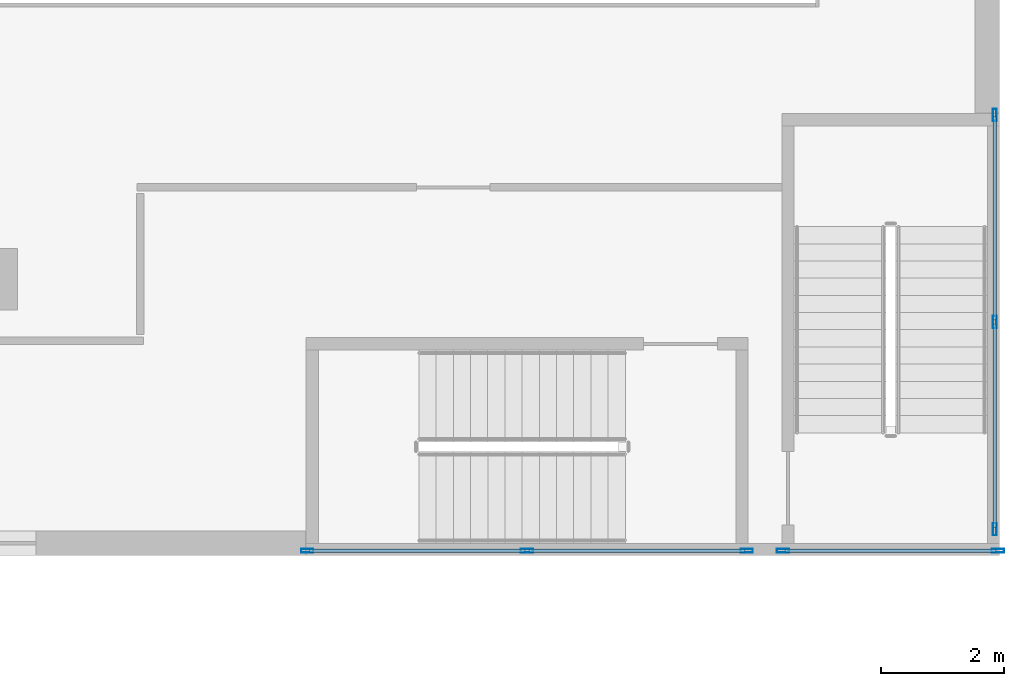
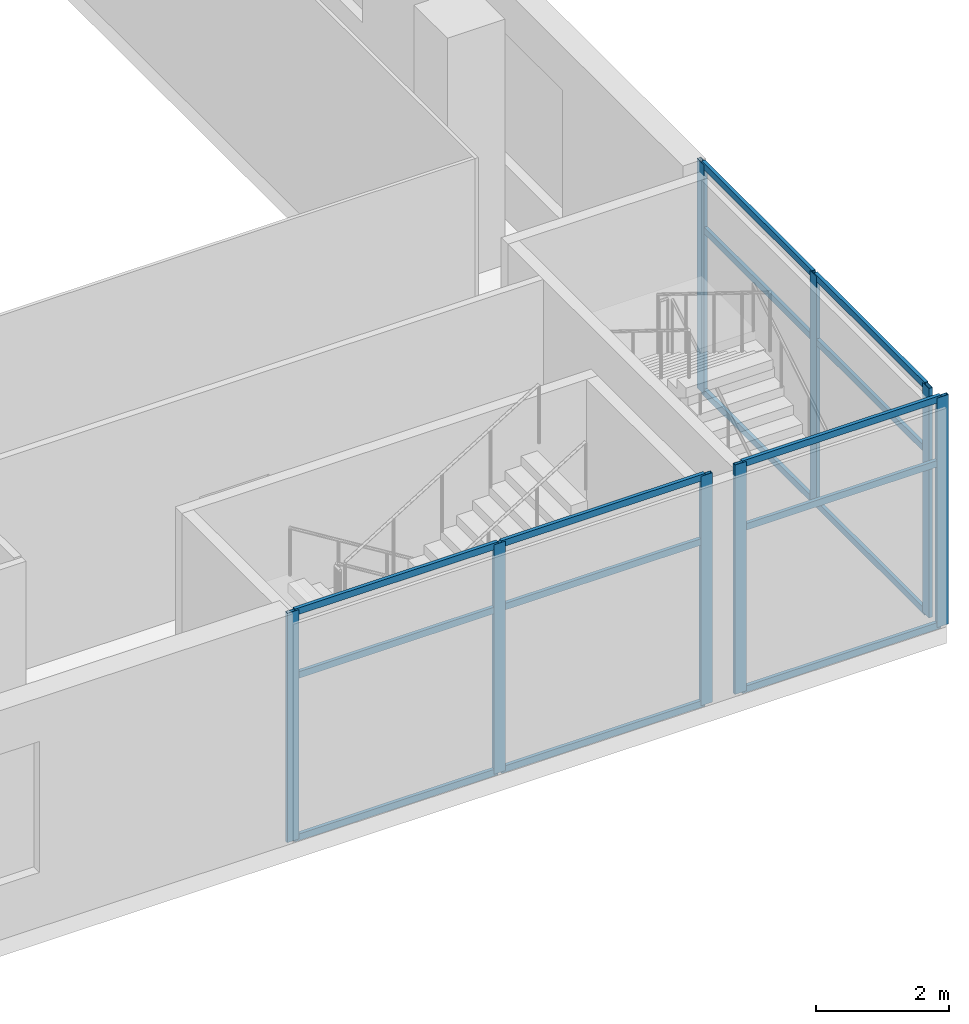
# One storey, part 6 of 21: 23 members, 3 elements without a shape of their own.
"""IFC4 building model written with IfcOpenShell, lengths in metres."""

from ifc_helpers import new_model, si_unit, direction, frame, origin, origin_2d, place, context, subcontext, project, spatial, hollow_rectangle, extrude, source, transform, mapped, material, material_profile, profile_set, type_object, element, aggregate, save


model = new_model("IFC4")

# Units and contexts
model_context = context("Model", 3, precision=1e-05, world=origin(), true_north=direction((0.0, 1.0)))
body_context = subcontext(model_context, "Body", "Model", "MODEL_VIEW")
ifc_project = project(units=[si_unit("LENGTHUNIT", "METRE"), si_unit("AREAUNIT", "SQUARE_METRE"), si_unit("VOLUMEUNIT", "CUBIC_METRE"), si_unit("PLANEANGLEUNIT", "RADIAN"), si_unit("MASSUNIT", "GRAM", prefix="KILO")], contexts=[model_context])

# Site, building, storey
site_placement = place(None, origin())
site = spatial("IfcSite", under=ifc_project, at=site_placement, CompositionType="ELEMENT")
building_placement = place(site_placement, origin())
building = spatial("IfcBuilding", under=site, at=building_placement, Name="Khomas Fold Tower", CompositionType="ELEMENT")
storey_placement = place(building_placement, frame((0.0, 0.0, 28.5)))
storey = spatial("IfcBuildingStorey", under=building, at=storey_placement, Name="L05", CompositionType="ELEMENT", Elevation=28.5)

# Curtain wall, members
ifc_material_1 = material(Name="Aluminium framed double glazing", Category="aluminium")
curtain_wall_type = type_object("IfcCurtainWallType", Name="Shopfront glazing PD-CW", PredefinedType="NOTDEFINED", material=ifc_material_1)
curtain_wall_1_placement = place(storey_placement, origin())
curtain_wall_1 = element("IfcCurtainWall", 1, at=curtain_wall_1_placement, inside=storey, type_object=curtain_wall_type, Name="Podium stair-tower glazing", PredefinedType="NOTDEFINED")
ifc_material_2 = material(Name="Aluminium", Category="aluminium")
ifc_material_profile_1 = material_profile(ifc_material_2, hollow_rectangle(XDim=0.06005859375, YDim=0.1201171875, WallThickness=0.00390625, at=origin_2d()), Name="Shopfront glazing transom PD-CW-T")
ifc_profile_set_1 = profile_set([ifc_material_profile_1], Name="Aluminium")
member_type_1 = type_object("IfcMemberType", Name="Shopfront glazing transom PD-CW-T", PredefinedType="USERDEFINED", material=ifc_profile_set_1)
shared_shape_1 = source(origin(), body_context, "Body", "SweptSolid", [
    extrude(hollow_rectangle(XDim=0.06005859375, YDim=0.1201171875, WallThickness=0.00390625, at=origin_2d()), origin(), (0.0, 0.0, 1.0), 3.52001953125),
])
member_1_placement = place(storey_placement, frame((69.75, 0.080078125, 0.030029296875), z_axis=(1.0, 0.0, 0.0), x_axis=(0.0, 1.0, 0.0)))
member_1 = element("IfcMember", 2, at=member_1_placement, type_object=member_type_1, Name="PD-CW transom 1.1", ObjectType="TRANSOM", PredefinedType="USERDEFINED", context=body_context, shape_type="MappedRepresentation", body=[
    mapped(shared_shape_1, transform((0.0, 0.0, 0.0))),
])
member_2_placement = place(storey_placement, frame((69.75, 0.080078125, 3.0), z_axis=(1.0, 0.0, 0.0), x_axis=(0.0, 1.0, 0.0)))
member_2 = element("IfcMember", 3, at=member_2_placement, type_object=member_type_1, Name="PD-CW transom 1.2", ObjectType="TRANSOM", PredefinedType="USERDEFINED", context=body_context, shape_type="MappedRepresentation", body=[
    mapped(shared_shape_1, transform((0.0, 0.0, 0.0))),
])
member_3_placement = place(storey_placement, frame((69.75, 0.080078125, 4.169921875), z_axis=(1.0, 0.0, 0.0), x_axis=(0.0, 1.0, 0.0)))
member_3 = element("IfcMember", 4, at=member_3_placement, type_object=member_type_1, Name="PD-CW transom 1.3", ObjectType="TRANSOM", PredefinedType="USERDEFINED", context=body_context, shape_type="MappedRepresentation", body=[
    mapped(shared_shape_1, transform((0.0, 0.0, 0.0))),
])
member_4_placement = place(storey_placement, frame((73.330078125, 0.080078125, 0.030029296875), z_axis=(1.0, 0.0, 0.0), x_axis=(0.0, 1.0, 0.0)))
member_4 = element("IfcMember", 5, at=member_4_placement, type_object=member_type_1, Name="PD-CW transom 2.1", ObjectType="TRANSOM", PredefinedType="USERDEFINED", context=body_context, shape_type="MappedRepresentation", body=[
    mapped(shared_shape_1, transform((0.0, 0.0, 0.0))),
])
member_5_placement = place(storey_placement, frame((73.330078125, 0.080078125, 3.0), z_axis=(1.0, 0.0, 0.0), x_axis=(0.0, 1.0, 0.0)))
member_5 = element("IfcMember", 6, at=member_5_placement, type_object=member_type_1, Name="PD-CW transom 2.2", ObjectType="TRANSOM", PredefinedType="USERDEFINED", context=body_context, shape_type="MappedRepresentation", body=[
    mapped(shared_shape_1, transform((0.0, 0.0, 0.0))),
])
member_6_placement = place(storey_placement, frame((73.330078125, 0.080078125, 4.169921875), z_axis=(1.0, 0.0, 0.0), x_axis=(0.0, 1.0, 0.0)))
member_6 = element("IfcMember", 7, at=member_6_placement, type_object=member_type_1, Name="PD-CW transom 2.3", ObjectType="TRANSOM", PredefinedType="USERDEFINED", context=body_context, shape_type="MappedRepresentation", body=[
    mapped(shared_shape_1, transform((0.0, 0.0, 0.0))),
])

curtain_wall_2_placement = place(storey_placement, origin())
curtain_wall_2 = element("IfcCurtainWall", 8, at=curtain_wall_2_placement, inside=storey, type_object=curtain_wall_type, Name="Podium stair-tower glazing", PredefinedType="NOTDEFINED")
shared_shape_2 = source(origin(), body_context, "Body", "SweptSolid", [
    extrude(hollow_rectangle(XDim=0.06005859375, YDim=0.1201171875, WallThickness=0.00390625, at=origin_2d()), origin(), (0.0, 0.0, 1.0), 3.43994140625),
])
member_7_placement = place(storey_placement, frame((77.5, 0.080078125, 0.030029296875), z_axis=(1.0, 0.0, 0.0), x_axis=(0.0, 1.0, 0.0)))
member_7 = element("IfcMember", 9, at=member_7_placement, type_object=member_type_1, Name="PD-CW transom 1.1", ObjectType="TRANSOM", PredefinedType="USERDEFINED", context=body_context, shape_type="MappedRepresentation", body=[
    mapped(shared_shape_2, transform((0.0, 0.0, 0.0))),
])
member_8_placement = place(storey_placement, frame((77.5, 0.080078125, 3.0), z_axis=(1.0, 0.0, 0.0), x_axis=(0.0, 1.0, 0.0)))
member_8 = element("IfcMember", 10, at=member_8_placement, type_object=member_type_1, Name="PD-CW transom 1.2", ObjectType="TRANSOM", PredefinedType="USERDEFINED", context=body_context, shape_type="MappedRepresentation", body=[
    mapped(shared_shape_2, transform((0.0, 0.0, 0.0))),
])
member_9_placement = place(storey_placement, frame((77.5, 0.080078125, 4.169921875), z_axis=(1.0, 0.0, 0.0), x_axis=(0.0, 1.0, 0.0)))
member_9 = element("IfcMember", 11, at=member_9_placement, type_object=member_type_1, Name="PD-CW transom 1.3", ObjectType="TRANSOM", PredefinedType="USERDEFINED", context=body_context, shape_type="MappedRepresentation", body=[
    mapped(shared_shape_2, transform((0.0, 0.0, 0.0))),
])

curtain_wall_3_placement = place(storey_placement, origin())
curtain_wall_3 = element("IfcCurtainWall", 12, at=curtain_wall_3_placement, inside=storey, type_object=curtain_wall_type, Name="Podium stair-tower glazing", PredefinedType="NOTDEFINED")
shared_shape_3 = source(origin(), body_context, "Body", "SweptSolid", [
    extrude(hollow_rectangle(XDim=0.06005859375, YDim=0.1201171875, WallThickness=0.00390625, at=origin_2d()), origin(), (0.0, 0.0, 1.0), 3.31494140625),
])
member_10_placement = place(storey_placement, frame((80.919921875, 0.4599609375, 0.030029296875), z_axis=(0.0, 1.0, 0.0), x_axis=(-1.0, 0.0, 0.0)))
member_10 = element("IfcMember", 13, at=member_10_placement, type_object=member_type_1, Name="PD-CW transom 1.1", ObjectType="TRANSOM", PredefinedType="USERDEFINED", context=body_context, shape_type="MappedRepresentation", body=[
    mapped(shared_shape_3, transform((0.0, 0.0, 0.0))),
])
member_11_placement = place(storey_placement, frame((80.919921875, 0.4599609375, 3.0), z_axis=(0.0, 1.0, 0.0), x_axis=(-1.0, 0.0, 0.0)))
member_11 = element("IfcMember", 14, at=member_11_placement, type_object=member_type_1, Name="PD-CW transom 1.2", ObjectType="TRANSOM", PredefinedType="USERDEFINED", context=body_context, shape_type="MappedRepresentation", body=[
    mapped(shared_shape_3, transform((0.0, 0.0, 0.0))),
])
member_12_placement = place(storey_placement, frame((80.919921875, 0.4599609375, 4.169921875), z_axis=(0.0, 1.0, 0.0), x_axis=(-1.0, 0.0, 0.0)))
member_12 = element("IfcMember", 15, at=member_12_placement, type_object=member_type_1, Name="PD-CW transom 1.3", ObjectType="TRANSOM", PredefinedType="USERDEFINED", context=body_context, shape_type="MappedRepresentation", body=[
    mapped(shared_shape_3, transform((0.0, 0.0, 0.0))),
])
member_13_placement = place(storey_placement, frame((80.919921875, 3.8349609375, 0.030029296875), z_axis=(0.0, 1.0, 0.0), x_axis=(-1.0, 0.0, 0.0)))
member_13 = element("IfcMember", 16, at=member_13_placement, type_object=member_type_1, Name="PD-CW transom 2.1", ObjectType="TRANSOM", PredefinedType="USERDEFINED", context=body_context, shape_type="MappedRepresentation", body=[
    mapped(shared_shape_3, transform((0.0, 0.0, 0.0))),
])
member_14_placement = place(storey_placement, frame((80.919921875, 3.8349609375, 3.0), z_axis=(0.0, 1.0, 0.0), x_axis=(-1.0, 0.0, 0.0)))
member_14 = element("IfcMember", 17, at=member_14_placement, type_object=member_type_1, Name="PD-CW transom 2.2", ObjectType="TRANSOM", PredefinedType="USERDEFINED", context=body_context, shape_type="MappedRepresentation", body=[
    mapped(shared_shape_3, transform((0.0, 0.0, 0.0))),
])
member_15_placement = place(storey_placement, frame((80.919921875, 3.8349609375, 4.169921875), z_axis=(0.0, 1.0, 0.0), x_axis=(-1.0, 0.0, 0.0)))
member_15 = element("IfcMember", 18, at=member_15_placement, type_object=member_type_1, Name="PD-CW transom 2.3", ObjectType="TRANSOM", PredefinedType="USERDEFINED", context=body_context, shape_type="MappedRepresentation", body=[
    mapped(shared_shape_3, transform((0.0, 0.0, 0.0))),
])

# Member
ifc_material_3 = material(Name="Aluminium", Category="aluminium")
ifc_material_profile_2 = material_profile(ifc_material_3, hollow_rectangle(XDim=0.06005859375, YDim=0.199951171875, WallThickness=0.00390625, at=origin_2d()), Name="Shopfront glazing mullion PD-CW-M")
ifc_profile_set_2 = profile_set([ifc_material_profile_2], Name="Aluminium")
member_type_2 = type_object("IfcMemberType", Name="Shopfront glazing mullion PD-CW-M", PredefinedType="MULLION", material=ifc_profile_set_2)
shared_shape_4 = source(origin(), body_context, "Body", "SweptSolid", [
    extrude(hollow_rectangle(XDim=0.06005859375, YDim=0.199951171875, WallThickness=0.00390625, at=origin_2d()), origin(), (0.0, 0.0, 1.0), 4.199951171875),
])
member_16_placement = place(storey_placement, frame((69.719970703125, 0.080078125, 0.0), z_axis=(0.0, 0.0, 1.0), x_axis=(0.0, 1.0, 0.0)))
member_16 = element("IfcMember", 19, at=member_16_placement, type_object=member_type_2, Name="PD-CW mullion 1", PredefinedType="MULLION", context=body_context, shape_type="MappedRepresentation", body=[
    mapped(shared_shape_4, transform((0.0, 0.0, 0.0))),
])

member_17_placement = place(storey_placement, frame((73.300048828125, 0.080078125, 0.0), z_axis=(0.0, 0.0, 1.0), x_axis=(0.0, 1.0, 0.0)))
member_17 = element("IfcMember", 20, at=member_17_placement, type_object=member_type_2, Name="PD-CW mullion 2", PredefinedType="MULLION", context=body_context, shape_type="MappedRepresentation", body=[
    mapped(shared_shape_4, transform((0.0, 0.0, 0.0))),
])

member_18_placement = place(storey_placement, frame((76.8798828125, 0.080078125, 0.0), z_axis=(0.0, 0.0, 1.0), x_axis=(0.0, 1.0, 0.0)))
member_18 = element("IfcMember", 21, at=member_18_placement, type_object=member_type_2, Name="PD-CW mullion 3", PredefinedType="MULLION", context=body_context, shape_type="MappedRepresentation", body=[
    mapped(shared_shape_4, transform((0.0, 0.0, 0.0))),
])

aggregate(curtain_wall_1, [member_16, member_17, member_18, member_1, member_2, member_3, member_4, member_5, member_6])

member_19_placement = place(storey_placement, frame((77.469970703125, 0.080078125, 0.0), z_axis=(0.0, 0.0, 1.0), x_axis=(0.0, 1.0, 0.0)))
member_19 = element("IfcMember", 22, at=member_19_placement, type_object=member_type_2, Name="PD-CW mullion 1", PredefinedType="MULLION", context=body_context, shape_type="MappedRepresentation", body=[
    mapped(shared_shape_4, transform((0.0, 0.0, 0.0))),
])

member_20_placement = place(storey_placement, frame((80.969970703125, 0.080078125, 0.0), z_axis=(0.0, 0.0, 1.0), x_axis=(0.0, 1.0, 0.0)))
member_20 = element("IfcMember", 23, at=member_20_placement, type_object=member_type_2, Name="PD-CW mullion 2", PredefinedType="MULLION", context=body_context, shape_type="MappedRepresentation", body=[
    mapped(shared_shape_4, transform((0.0, 0.0, 0.0))),
])

aggregate(curtain_wall_2, [member_19, member_20, member_7, member_8, member_9])

member_21_placement = place(storey_placement, frame((80.919921875, 0.429931640625, 0.0), z_axis=(0.0, 0.0, 1.0), x_axis=(-1.0, 0.0, 0.0)))
member_21 = element("IfcMember", 24, at=member_21_placement, type_object=member_type_2, Name="PD-CW mullion 1", PredefinedType="MULLION", context=body_context, shape_type="MappedRepresentation", body=[
    mapped(shared_shape_4, transform((0.0, 0.0, 0.0))),
])

member_22_placement = place(storey_placement, frame((80.919921875, 3.804931640625, 0.0), z_axis=(0.0, 0.0, 1.0), x_axis=(-1.0, 0.0, 0.0)))
member_22 = element("IfcMember", 25, at=member_22_placement, type_object=member_type_2, Name="PD-CW mullion 2", PredefinedType="MULLION", context=body_context, shape_type="MappedRepresentation", body=[
    mapped(shared_shape_4, transform((0.0, 0.0, 0.0))),
])

member_23_placement = place(storey_placement, frame((80.919921875, 7.179931640625, 0.0), z_axis=(0.0, 0.0, 1.0), x_axis=(-1.0, 0.0, 0.0)))
member_23 = element("IfcMember", 26, at=member_23_placement, type_object=member_type_2, Name="PD-CW mullion 3", PredefinedType="MULLION", context=body_context, shape_type="MappedRepresentation", body=[
    mapped(shared_shape_4, transform((0.0, 0.0, 0.0))),
])

aggregate(curtain_wall_3, [member_21, member_22, member_23, member_10, member_11, member_12, member_13, member_14, member_15])

save(model, "model.ifc")
